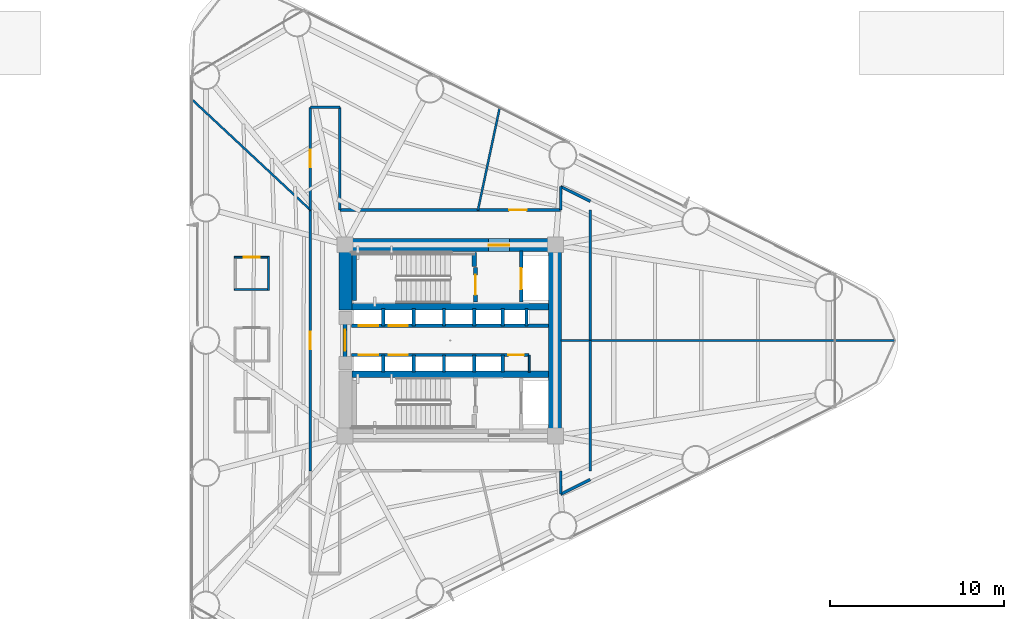
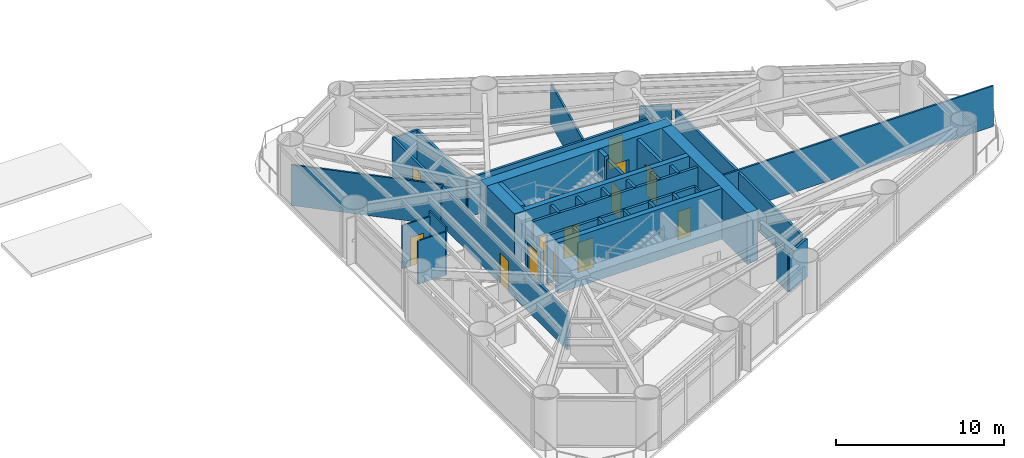
# One storey, part 6 of 10: 41 walls, 13 doors, 13 openings.
"""IFC4 building model written with IfcOpenShell, lengths in metres."""

from ifc_helpers import new_model, si_unit, direction, frame, frame_2d, origin, place, context, subcontext, project, spatial, rectangle, extrude, material, layer, layer_set, type_object, element, fill, save


model = new_model("IFC4")

# Units and contexts
model_context = context("Model", 3, precision=1e-05, world=origin(), true_north=direction((0.0, 1.0)))
body_context = subcontext(model_context, "Body", "Model", "MODEL_VIEW")
ifc_project = project(units=[si_unit("LENGTHUNIT", "METRE"), si_unit("AREAUNIT", "SQUARE_METRE"), si_unit("VOLUMEUNIT", "CUBIC_METRE"), si_unit("PLANEANGLEUNIT", "RADIAN"), si_unit("MASSUNIT", "GRAM", prefix="KILO")], contexts=[model_context])

# Site, building, storey
site_placement = place(None, origin())
site = spatial("IfcSite", under=ifc_project, at=site_placement, CompositionType="ELEMENT")
building_placement = place(site_placement, origin())
building = spatial("IfcBuilding", under=site, at=building_placement, Name="Yunling Apex Tower", CompositionType="ELEMENT")
storey_placement = place(building_placement, frame((0.0, 0.0, 23.800048828125)))
storey = spatial("IfcBuildingStorey", under=building, at=storey_placement, Name="L07", CompositionType="ELEMENT", Elevation=23.800048828125)

# Wall, opening, door
ifc_material_1 = material(Name="Concrete C60", Category="concrete")
ifc_layer_1 = layer(ifc_material_1, 0.75)
ifc_layer_set_1 = layer_set([ifc_layer_1], Name="Concrete C60")
wall_type_1 = type_object("IfcWallType", Name="WL-COR-1", PredefinedType="SHEAR", material=ifc_layer_set_1)
wall_1_placement = place(storey_placement, frame((-6.39990234375, 5.47509765625, 0.0), z_axis=(0.0, 0.0, 1.0), x_axis=(1.0, 0.0, 0.0)))
wall_1 = element("IfcWall", 1, at=wall_1_placement, inside=storey, type_object=wall_type_1, Name="L07 North Core Shear Wall", PredefinedType="SHEAR", context=body_context, shape_type="SweptSolid", body=[
    extrude(rectangle(XDim=12.7998046875, YDim=0.75, at=frame_2d((6.39990234375, 0.0))), origin(), (0.0, 0.0, 1.0), 3.699951171875),
])
opening_1_placement = place(wall_1_placement, frame((8.60009765625, 0.0, 0.0)))
opening_1 = element("IfcOpeningElement", 2, at=opening_1_placement, cuts=wall_1, Name="Opening DR-FFL-1", PredefinedType="OPENING", context=body_context, shape_type="SweptSolid", body=[
    extrude(rectangle(XDim=1.199951171875, YDim=2.199951171875, at=frame_2d((0.60009765625, 1.10009765625))), frame((0.0, 0.385009765625, 0.0), z_axis=(0.0, -1.0, 0.0), x_axis=(1.0, 0.0, 0.0)), (0.0, 0.0, 1.0), 0.77001953125),
])
ifc_material_2 = material(Name="Steel Q355B", Category="steel")
door_type_1 = type_object("IfcDoorType", Name="DR-FFL-1", OperationType="NOTDEFINED", PredefinedType="DOOR", material=ifc_material_2)
door_1_placement = place(opening_1_placement, origin())
door_1 = element("IfcDoor", 3, at=door_1_placement, inside=storey, type_object=door_type_1, Name="L07 North Firefighting Lobby Door", OperationType="SINGLE_SWING_LEFT", OverallHeight=2.199951171875, OverallWidth=1.199951171875, PredefinedType="DOOR", context=body_context, shape_type="SweptSolid", body=[
    extrude(rectangle(XDim=1.199951171875, YDim=2.199951171875, at=frame_2d((0.60009765625, 1.10009765625))), frame((0.0, 0.02490234375, 0.0), z_axis=(0.0, -1.0, 0.0), x_axis=(1.0, 0.0, 0.0)), (0.0, 0.0, 1.0), 0.050048828125),
])
fill(opening_1, door_1)

# Walls
wall_2_placement = place(storey_placement, frame((6.02490234375, -5.10009765625, 0.0), z_axis=(0.0, 0.0, 1.0), x_axis=(0.0, 1.0, 0.0)))
element("IfcWall", 4, at=wall_2_placement, inside=storey, type_object=wall_type_1, Name="L07 East Core Shear Wall", PredefinedType="SHEAR", context=body_context, shape_type="SweptSolid", body=[
    extrude(rectangle(XDim=10.2001953125, YDim=0.75, at=frame_2d((5.10009765625, 0.0))), origin(), (0.0, 0.0, 1.0), 3.699951171875),
])
wall_3_placement = place(storey_placement, frame((-6.02490234375, 1.75, 0.0), z_axis=(0.0, 0.0, 1.0), x_axis=(0.0, 1.0, 0.0)))
element("IfcWall", 5, at=wall_3_placement, inside=storey, type_object=wall_type_1, Name="L07 West-North Core Shear Wall", PredefinedType="SHEAR", context=body_context, shape_type="SweptSolid", body=[
    extrude(rectangle(XDim=3.35009765625, YDim=0.75, at=frame_2d((1.675048828125, 0.0))), origin(), (0.0, 0.0, 1.0), 3.699951171875),
])
ifc_material_3 = material(Name="Concrete C40", Category="concrete")
ifc_layer_2 = layer(ifc_material_3, 0.360107421875)
ifc_layer_set_2 = layer_set([ifc_layer_2], Name="Concrete C40")
wall_type_2 = type_object("IfcWallType", Name="WL-COR-4", PredefinedType="SHEAR", material=ifc_layer_set_2)
for number, where, z_axis, x_axis, name in (
    (6, (-5.64990234375, 1.93994140625, 0.0), (0.0, 0.0, 1.0), (1.0, 0.0, 0.0), "L07 North Internal Core Shear Wall"),
    (7, (-5.64990234375, -1.93994140625, 0.0), (0.0, 0.0, 1.0), (1.0, 0.0, 0.0), "L07 South Internal Core Shear Wall"),
):
    element("IfcWall", number, at=place(storey_placement, frame(where, z_axis=z_axis, x_axis=x_axis)), inside=storey, type_object=wall_type_2, Name=name, PredefinedType="SHEAR", context=body_context, shape_type="SweptSolid", body=[
        extrude(rectangle(XDim=11.2998046875, YDim=0.360107421875, at=frame_2d((5.64990234375, 0.0))), origin(), (0.0, 0.0, 1.0), 3.699951171875),
    ])
ifc_layer_3 = layer(ifc_material_3, 0.280029296875)
ifc_layer_set_3 = layer_set([ifc_layer_3], Name="Concrete C40")
wall_type_3 = type_object("IfcWallType", Name="WL-COR-8", PredefinedType="SHEAR", material=ifc_layer_set_3)
wall_4_placement = place(storey_placement, frame((-5.52001953125, 2.300048828125, 0.0), z_axis=(0.0, 0.0, 1.0), x_axis=(0.0, 1.0, 0.0)))
element("IfcWall", 8, at=wall_4_placement, inside=storey, type_object=wall_type_3, Name="L07 ST-1 West Landing Bearing Wall", PredefinedType="SHEAR", context=body_context, shape_type="SweptSolid", body=[
    extrude(rectangle(XDim=2.75, YDim=0.280029296875, at=frame_2d((1.375, 0.0))), origin(), (0.0, 0.0, 1.0), 3.699951171875),
])
wall_5_placement = place(storey_placement, frame((1.3798828125, 4.25, 0.0), z_axis=(0.0, 0.0, 1.0), x_axis=(0.0, 1.0, 0.0)))
element("IfcWall", 9, at=wall_5_placement, inside=storey, type_object=wall_type_3, Name="L07 ST-1 East Landing Bearing Pier", PredefinedType="SHEAR", context=body_context, shape_type="SweptSolid", body=[
    extrude(rectangle(XDim=0.800048828125, YDim=0.280029296875, at=frame_2d((0.39990234375, 0.0))), origin(), (0.0, 0.0, 1.0), 3.699951171875),
])

# Wall, opening, door
ifc_material_4 = material(Name="Gypsum board acoustic partition")
ifc_layer_4 = layer(ifc_material_4, 0.159912109375)
ifc_layer_set_4 = layer_set([ifc_layer_4], Name="Gypsum board acoustic partition")
wall_type_4 = type_object("IfcWallType", Name="WL-PRT-1", PredefinedType="PARTITIONING", material=ifc_layer_set_4)
wall_6_placement = place(storey_placement, frame((-8.050048828125, -7.5, 0.0), z_axis=(0.0, 0.0, 1.0), x_axis=(0.0, 1.0, 0.0)))
wall_6 = element("IfcWall", 10, at=wall_6_placement, inside=storey, type_object=wall_type_4, Name="WL-CORR-L07-05", PredefinedType="PARTITIONING", context=body_context, shape_type="SweptSolid", body=[
    extrude(rectangle(XDim=15.0, YDim=0.159912109375, at=frame_2d((7.5, 0.0))), origin(), (0.0, 0.0, 1.0), 2.800048828125),
])
opening_2_placement = place(wall_6_placement, frame((7.0, 0.0, 0.0)))
opening_2 = element("IfcOpeningElement", 11, at=opening_2_placement, cuts=wall_6, Name="Opening DR-OFF-1", PredefinedType="OPENING", context=body_context, shape_type="SweptSolid", body=[
    extrude(rectangle(XDim=1.0, YDim=2.25, at=frame_2d((0.5, 1.125))), frame((0.0, 0.08984375, 0.0), z_axis=(0.0, -1.0, 0.0), x_axis=(1.0, 0.0, 0.0)), (0.0, 0.0, 1.0), 0.179931640625),
])
ifc_material_5 = material(Name="Bronze anodised aluminium", Category="aluminium")
door_type_2 = type_object("IfcDoorType", Name="DR-OFF-1", OperationType="NOTDEFINED", PredefinedType="DOOR", material=ifc_material_5)
door_2_placement = place(opening_2_placement, origin())
door_2 = element("IfcDoor", 12, at=door_2_placement, inside=storey, type_object=door_type_2, Name="L07 Service Foyer Lounge Door", OperationType="SINGLE_SWING_LEFT", OverallHeight=2.25, OverallWidth=1.0, PredefinedType="DOOR", context=body_context, shape_type="SweptSolid", body=[
    extrude(rectangle(XDim=1.0, YDim=2.25, at=frame_2d((0.5, 1.125))), frame((0.0, 0.02490234375, 0.0), z_axis=(0.0, -1.0, 0.0), x_axis=(1.0, 0.0, 0.0)), (0.0, 0.0, 1.0), 0.050048828125),
])
fill(opening_2, door_2)

wall_7_placement = place(storey_placement, frame((-8.050048828125, 7.5, 0.0), z_axis=(0.0, 0.0, 1.0), x_axis=(0.0, 1.0, 0.0)))
wall_7 = element("IfcWall", 13, at=wall_7_placement, inside=storey, type_object=wall_type_4, Name="WL-CORR-L07-06", PredefinedType="PARTITIONING", context=body_context, shape_type="SweptSolid", body=[
    extrude(rectangle(XDim=5.89990234375, YDim=0.159912109375, at=frame_2d((2.949951171875, 0.0))), origin(), (0.0, 0.0, 1.0), 2.800048828125),
])
opening_3_placement = place(wall_7_placement, frame((2.449951171875, 0.0, 0.0)))
opening_3 = element("IfcOpeningElement", 14, at=opening_3_placement, cuts=wall_7, Name="Opening DR-OFF-1", PredefinedType="OPENING", context=body_context, shape_type="SweptSolid", body=[
    extrude(rectangle(XDim=1.0, YDim=2.25, at=frame_2d((0.5, 1.125))), frame((0.0, 0.08984375, 0.0), z_axis=(0.0, -1.0, 0.0), x_axis=(1.0, 0.0, 0.0)), (0.0, 0.0, 1.0), 0.179931640625),
])
door_3_placement = place(opening_3_placement, origin())
door_3 = element("IfcDoor", 15, at=door_3_placement, inside=storey, type_object=door_type_2, Name="L07 Open Plan Office Door", OperationType="SINGLE_SWING_RIGHT", OverallHeight=2.25, OverallWidth=1.0, PredefinedType="DOOR", context=body_context, shape_type="SweptSolid", body=[
    extrude(rectangle(XDim=1.0, YDim=2.25, at=frame_2d((0.5, 1.125))), frame((0.0, 0.02490234375, 0.0), z_axis=(0.0, -1.0, 0.0), x_axis=(1.0, 0.0, 0.0)), (0.0, 0.0, 1.0), 0.050048828125),
])
fill(opening_3, door_3)

# Walls
wall_8_placement = place(storey_placement, frame((-8.050048828125, 13.39990234375, 0.0), z_axis=(0.0, 0.0, 1.0), x_axis=(1.0, 0.0, 0.0)))
element("IfcWall", 16, at=wall_8_placement, inside=storey, type_object=wall_type_4, Name="WL-CORR-L07-07", PredefinedType="PARTITIONING", context=body_context, shape_type="SweptSolid", body=[
    extrude(rectangle(XDim=1.699951171875, YDim=0.159912109375, at=frame_2d((0.85009765625, 0.0))), origin(), (0.0, 0.0, 1.0), 2.800048828125),
])
wall_9_placement = place(storey_placement, frame((-6.35009765625, 13.39990234375, 0.0), z_axis=(0.0, 0.0, 1.0), x_axis=(0.0, -1.0, 0.0)))
element("IfcWall", 17, at=wall_9_placement, inside=storey, type_object=wall_type_4, Name="WL-CORR-L07-08", PredefinedType="PARTITIONING", context=body_context, shape_type="SweptSolid", body=[
    extrude(rectangle(XDim=5.89990234375, YDim=0.159912109375, at=frame_2d((2.949951171875, 0.0))), origin(), (0.0, 0.0, 1.0), 2.800048828125),
])

# Wall, opening, door
wall_10_placement = place(storey_placement, frame((-6.35009765625, 7.5, 0.0), z_axis=(0.0, 0.0, 1.0), x_axis=(1.0, 0.0, 0.0)))
wall_10 = element("IfcWall", 18, at=wall_10_placement, inside=storey, type_object=wall_type_4, Name="WL-CORR-L07-09", PredefinedType="PARTITIONING", context=body_context, shape_type="SweptSolid", body=[
    extrude(rectangle(XDim=12.7001953125, YDim=0.159912109375, at=frame_2d((6.35009765625, 0.0))), origin(), (0.0, 0.0, 1.0), 2.800048828125),
])
opening_4_placement = place(wall_10_placement, frame((9.7373046875, 0.0, 0.0)))
opening_4 = element("IfcOpeningElement", 19, at=opening_4_placement, cuts=wall_10, Name="Opening DR-OFF-1", PredefinedType="OPENING", context=body_context, shape_type="SweptSolid", body=[
    extrude(rectangle(XDim=1.0, YDim=2.25, at=frame_2d((0.5, 1.125))), frame((0.0, 0.08984375, 0.0), z_axis=(0.0, -1.0, 0.0), x_axis=(1.0, 0.0, 0.0)), (0.0, 0.0, 1.0), 0.179931640625),
])
door_4_placement = place(opening_4_placement, origin())
door_4 = element("IfcDoor", 20, at=door_4_placement, inside=storey, type_object=door_type_2, Name="L07 Open Plan Office Door", OperationType="SINGLE_SWING_LEFT", OverallHeight=2.25, OverallWidth=1.0, PredefinedType="DOOR", context=body_context, shape_type="SweptSolid", body=[
    extrude(rectangle(XDim=1.0, YDim=2.25, at=frame_2d((0.5, 1.125))), frame((0.0, 0.02490234375, 0.0), z_axis=(0.0, -1.0, 0.0), x_axis=(1.0, 0.0, 0.0)), (0.0, 0.0, 1.0), 0.050048828125),
])
fill(opening_4, door_4)

# Walls
wall_11_placement = place(storey_placement, frame((6.35009765625, 7.5, 0.0), z_axis=(0.0, 0.0, 1.0), x_axis=(0.0, 1.0, 0.0)))
element("IfcWall", 21, at=wall_11_placement, inside=storey, type_object=wall_type_4, Name="WL-CORR-L07-10", PredefinedType="PARTITIONING", context=body_context, shape_type="SweptSolid", body=[
    extrude(rectangle(XDim=1.34619140625, YDim=0.159912109375, at=frame_2d((0.673095703125, 0.0))), origin(), (0.0, 0.0, 1.0), 2.800048828125),
])
wall_12_placement = place(storey_placement, frame((6.35009765625, 8.84619140625, 0.0), z_axis=(0.0, 0.0, 1.0), x_axis=(0.895274181873, -0.445515588136, 0.0)))
element("IfcWall", 22, at=wall_12_placement, inside=storey, type_object=wall_type_4, Name="WL-CORR-L07-11", PredefinedType="PARTITIONING", context=body_context, shape_type="SweptSolid", body=[
    extrude(rectangle(XDim=1.89892578125, YDim=0.159912109375, at=frame_2d((0.949462890625, 0.0))), origin(), (0.0, 0.0, 1.0), 2.800048828125),
])
for number, where, z_axis, x_axis, name in (
    (23, (8.050048828125, 7.5, 0.0), (0.0, 0.0, 1.0), (0.0, -1.0, 0.0), "WL-CORR-L07-13"),
    (24, (8.050048828125, -0.02001953125, 0.0), (0.0, 0.0, 1.0), (0.0, -1.0, 0.0), "WL-CORR-L07-14"),
):
    element("IfcWall", number, at=place(storey_placement, frame(where, z_axis=z_axis, x_axis=x_axis)), inside=storey, type_object=wall_type_4, Name=name, PredefinedType="PARTITIONING", context=body_context, shape_type="SweptSolid", body=[
        extrude(rectangle(XDim=7.47998046875, YDim=0.159912109375, at=frame_2d((3.739990234375, 0.0))), origin(), (0.0, 0.0, 1.0), 2.800048828125),
    ])
wall_13_placement = place(storey_placement, frame((8.050048828125, -8.000244140625, 0.0), z_axis=(0.0, 0.0, 1.0), x_axis=(-0.895274181873, -0.445515588136, 0.0)))
element("IfcWall", 25, at=wall_13_placement, inside=storey, type_object=wall_type_4, Name="WL-CORR-L07-16", PredefinedType="PARTITIONING", context=body_context, shape_type="SweptSolid", body=[
    extrude(rectangle(XDim=1.89892578125, YDim=0.159912109375, at=frame_2d((0.949462890625, 0.0))), origin(), (0.0, 0.0, 1.0), 2.800048828125),
])
wall_14_placement = place(storey_placement, frame((6.35009765625, -8.84619140625, 0.0), z_axis=(0.0, 0.0, 1.0), x_axis=(0.0, 1.0, 0.0)))
element("IfcWall", 26, at=wall_14_placement, inside=storey, type_object=wall_type_4, Name="WL-CORR-L07-17", PredefinedType="PARTITIONING", context=body_context, shape_type="SweptSolid", body=[
    extrude(rectangle(XDim=1.34619140625, YDim=0.159912109375, at=frame_2d((0.673095703125, 0.0))), origin(), (0.0, 0.0, 1.0), 2.800048828125),
])
ifc_layer_5 = layer(ifc_material_4, 0.1201171875)
ifc_layer_set_5 = layer_set([ifc_layer_5], Name="Gypsum board acoustic partition")
wall_type_5 = type_object("IfcWallType", Name="WL-PRT-3", PredefinedType="PARTITIONING", material=ifc_layer_set_5)
wall_15_placement = place(storey_placement, frame((6.360107421875, 0.0, 0.0), z_axis=(0.0, 0.0, 1.0), x_axis=(1.0, 0.0, 0.0)))
element("IfcWall", 27, at=wall_15_placement, inside=storey, type_object=wall_type_5, Name="WL-RAD-L07-01", PredefinedType="PARTITIONING", context=body_context, shape_type="SweptSolid", body=[
    extrude(rectangle(XDim=19.190673828125, YDim=0.1201171875, at=frame_2d((9.59521484375, 0.0))), origin(), (0.0, 0.0, 1.0), 2.9599609375),
])
wall_16_placement = place(storey_placement, frame((1.585693359375, 7.4599609375, 0.0), z_axis=(0.0, 0.0, 1.0), x_axis=(0.207898702609, 0.978150361373, 0.0)))
element("IfcWall", 28, at=wall_16_placement, inside=storey, type_object=wall_type_5, Name="WL-RAD-L07-02", PredefinedType="PARTITIONING", context=body_context, shape_type="SweptSolid", body=[
    extrude(rectangle(XDim=5.99365234375, YDim=0.1201171875, at=frame_2d((2.996826171875, 0.0))), origin(), (0.0, 0.0, 1.0), 2.9599609375),
])
wall_17_placement = place(storey_placement, frame((-8.010009765625, 7.469482421875, 0.0), z_axis=(0.0, 0.0, 1.0), x_axis=(-0.731354171407, 0.681997856277, 0.0)))
element("IfcWall", 29, at=wall_17_placement, inside=storey, type_object=wall_type_5, Name="WL-RAD-L07-03", PredefinedType="PARTITIONING", context=body_context, shape_type="SweptSolid", body=[
    extrude(rectangle(XDim=9.314208984375, YDim=0.1201171875, at=frame_2d((4.6572265625, 0.0))), origin(), (0.0, 0.0, 1.0), 2.9599609375),
])
ifc_layer_6 = layer(ifc_material_4, 0.10009765625)
ifc_layer_set_6 = layer_set([ifc_layer_6], Name="Gypsum board acoustic partition")
wall_type_6 = type_object("IfcWallType", Name="WL-PRT-4", PredefinedType="PARTITIONING", material=ifc_layer_set_6)
wall_18_placement = place(storey_placement, frame((4.5400390625, -1.820068359375, 0.0), z_axis=(0.0, 0.0, 1.0), x_axis=(0.0, 1.0, 0.0)))
element("IfcWall", 30, at=wall_18_placement, inside=storey, type_object=wall_type_6, Name="WL-KASE-E-L07", PredefinedType="PARTITIONING", context=body_context, shape_type="SweptSolid", body=[
    extrude(rectangle(XDim=0.97998046875, YDim=0.10009765625, at=frame_2d((0.489990234375, 0.0))), origin(), (0.0, 0.0, 1.0), 3.494873046875),
])

# Wall, opening, door
wall_19_placement = place(storey_placement, frame((-12.406005859375, 4.77587890625, 0.0), z_axis=(0.0, 0.0, 1.0), x_axis=(1.0, 0.0, 0.0)))
wall_19 = element("IfcWall", 31, at=wall_19_placement, inside=storey, type_object=wall_type_6, Name="WL-L07-WCAN", PredefinedType="PARTITIONING", context=body_context, shape_type="SweptSolid", body=[
    extrude(rectangle(XDim=2.0, YDim=0.10009765625, at=frame_2d((1.0, 0.0))), origin(), (0.0, 0.0, 1.0), 3.14990234375),
])
opening_5_placement = place(wall_19_placement, frame((0.5400390625, 0.0, 0.0)))
opening_5 = element("IfcOpeningElement", 32, at=opening_5_placement, cuts=wall_19, Name="Opening DR-WC-1", PredefinedType="OPENING", context=body_context, shape_type="SweptSolid", body=[
    extrude(rectangle(XDim=0.919921875, YDim=2.10009765625, at=frame_2d((0.4599609375, 1.050048828125))), frame((0.0, 0.06005859375, 0.0), z_axis=(0.0, -1.0, 0.0), x_axis=(1.0, 0.0, 0.0)), (0.0, 0.0, 1.0), 0.1201171875),
])
ifc_material_6 = material(Name="Timber moisture-resistant leaf", Category="wood")
door_type_3 = type_object("IfcDoorType", Name="DR-WC-1", OperationType="NOTDEFINED", PredefinedType="DOOR", material=ifc_material_6)
door_5_placement = place(opening_5_placement, origin())
door_5 = element("IfcDoor", 33, at=door_5_placement, inside=storey, type_object=door_type_3, Name="L07 Accessible WC Door", OperationType="SINGLE_SWING_RIGHT", OverallHeight=2.10009765625, OverallWidth=0.919921875, PredefinedType="DOOR", context=body_context, shape_type="SweptSolid", body=[
    extrude(rectangle(XDim=0.919921875, YDim=2.10009765625, at=frame_2d((0.4599609375, 1.050048828125))), frame((0.0, 0.02490234375, 0.0), z_axis=(0.0, -1.0, 0.0), x_axis=(1.0, 0.0, 0.0)), (0.0, 0.0, 1.0), 0.050048828125),
])
fill(opening_5, door_5)

# Walls
wall_20_placement = place(storey_placement, frame((-10.406005859375, 2.926025390625, 0.0), z_axis=(0.0, 0.0, 1.0), x_axis=(-1.0, 0.0, 0.0)))
element("IfcWall", 34, at=wall_20_placement, inside=storey, type_object=wall_type_6, Name="WL-L07-WCAS", PredefinedType="PARTITIONING", context=body_context, shape_type="SweptSolid", body=[
    extrude(rectangle(XDim=2.0, YDim=0.10009765625, at=frame_2d((1.0, 0.0))), origin(), (0.0, 0.0, 1.0), 3.14990234375),
])
wall_21_placement = place(storey_placement, frame((-10.4560546875, 4.825927734375, 0.0), z_axis=(0.0, 0.0, 1.0), x_axis=(0.0, -1.0, 0.0)))
element("IfcWall", 35, at=wall_21_placement, inside=storey, type_object=wall_type_6, Name="WL-L07-WCAE", PredefinedType="PARTITIONING", context=body_context, shape_type="SweptSolid", body=[
    extrude(rectangle(XDim=1.949951171875, YDim=0.10009765625, at=frame_2d((0.97509765625, 0.0))), origin(), (0.0, 0.0, 1.0), 3.494873046875),
])

# Wall, opening, door
ifc_material_7 = material(Name="Autoclaved aerated concrete masonry", Category="masonry")
ifc_layer_7 = layer(ifc_material_7, 0.219970703125)
ifc_layer_set_7 = layer_set([ifc_layer_7], Name="Autoclaved aerated concrete masonry")
wall_type_7 = type_object("IfcWallType", Name="WL-SHF-1", PredefinedType="PLUMBINGWALL", material=ifc_layer_set_7)
wall_22_placement = place(storey_placement, frame((-6.050048828125, -0.949951171875, 0.0), z_axis=(0.0, 0.0, 1.0), x_axis=(0.0, 1.0, 0.0)))
wall_22 = element("IfcWall", 36, at=wall_22_placement, inside=storey, type_object=wall_type_7, Name="WL-COR-WPORT-L07", PredefinedType="PLUMBINGWALL", context=body_context, shape_type="SweptSolid", body=[
    extrude(rectangle(XDim=1.89990234375, YDim=0.219970703125, at=frame_2d((0.949951171875, 0.0))), origin(), (0.0, 0.0, 1.0), 2.474853515625),
])
opening_6_placement = place(wall_22_placement, frame((0.35009765625, 0.0, 0.0)))
opening_6 = element("IfcOpeningElement", 37, at=opening_6_placement, cuts=wall_22, Name="Opening DR-FFL-1", PredefinedType="OPENING", context=body_context, shape_type="SweptSolid", body=[
    extrude(rectangle(XDim=1.199951171875, YDim=2.199951171875, at=frame_2d((0.60009765625, 1.10009765625))), frame((0.0, 0.1201171875, 0.0), z_axis=(0.0, -1.0, 0.0), x_axis=(1.0, 0.0, 0.0)), (0.0, 0.0, 1.0), 0.239990234375),
])
door_6_placement = place(opening_6_placement, origin())
door_6 = element("IfcDoor", 38, at=door_6_placement, inside=storey, type_object=door_type_1, Name="L07 Passenger Lift Lobby Entrance Door", OperationType="SINGLE_SWING_LEFT", OverallHeight=2.199951171875, OverallWidth=1.199951171875, PredefinedType="DOOR", context=body_context, shape_type="SweptSolid", body=[
    extrude(rectangle(XDim=1.199951171875, YDim=2.199951171875, at=frame_2d((0.60009765625, 1.10009765625))), frame((0.0, 0.02490234375, 0.0), z_axis=(0.0, -1.0, 0.0), x_axis=(1.0, 0.0, 0.0)), (0.0, 0.0, 1.0), 0.050048828125),
])
fill(opening_6, door_6)

wall_23_placement = place(storey_placement, frame((1.449951171875, 2.199951171875, 0.0), z_axis=(0.0, 0.0, 1.0), x_axis=(0.0, 1.0, 0.0)))
wall_23 = element("IfcWall", 39, at=wall_23_placement, inside=storey, type_object=wall_type_7, Name="WL-ST1-E-L07", PredefinedType="PLUMBINGWALL", context=body_context, shape_type="SweptSolid", body=[
    extrude(rectangle(XDim=1.97998046875, YDim=0.219970703125, at=frame_2d((0.989990234375, 0.0))), origin(), (0.0, 0.0, 1.0), 3.494873046875),
])
opening_7_placement = place(wall_23_placement, frame((0.419921875, 0.0, 0.0)))
opening_7 = element("IfcOpeningElement", 40, at=opening_7_placement, cuts=wall_23, Name="Opening DR-ST-1", PredefinedType="OPENING", context=body_context, shape_type="SweptSolid", body=[
    extrude(rectangle(XDim=1.14990234375, YDim=2.14990234375, at=frame_2d((0.574951171875, 1.074951171875))), frame((0.0, 0.1201171875, 0.0), z_axis=(0.0, -1.0, 0.0), x_axis=(1.0, 0.0, 0.0)), (0.0, 0.0, 1.0), 0.239990234375),
])
door_type_4 = type_object("IfcDoorType", Name="DR-ST-1", OperationType="NOTDEFINED", PredefinedType="DOOR", material=ifc_material_2)
door_7_placement = place(opening_7_placement, origin())
door_7 = element("IfcDoor", 41, at=door_7_placement, inside=storey, type_object=door_type_4, Name="L07 Stair ST-1 Fire Door", OperationType="SINGLE_SWING_LEFT", OverallHeight=2.14990234375, OverallWidth=1.14990234375, PredefinedType="DOOR", context=body_context, shape_type="SweptSolid", body=[
    extrude(rectangle(XDim=1.14990234375, YDim=2.14990234375, at=frame_2d((0.574951171875, 1.074951171875))), frame((0.0, 0.02490234375, 0.0), z_axis=(0.0, -1.0, 0.0), x_axis=(1.0, 0.0, 0.0)), (0.0, 0.0, 1.0), 0.050048828125),
])
fill(opening_7, door_7)

wall_24_placement = place(storey_placement, frame((4.080078125, 2.199951171875, 0.0), z_axis=(0.0, 0.0, 1.0), x_axis=(0.0, 1.0, 0.0)))
wall_24 = element("IfcWall", 42, at=wall_24_placement, inside=storey, type_object=wall_type_7, Name="WL-FFL1-W-L07", PredefinedType="PLUMBINGWALL", context=body_context, shape_type="SweptSolid", body=[
    extrude(rectangle(XDim=2.949951171875, YDim=0.219970703125, at=frame_2d((1.47509765625, 0.0))), origin(), (0.0, 0.0, 1.0), 3.494873046875),
])
opening_8_placement = place(wall_24_placement, frame((0.75, 0.0, 0.0)))
opening_8 = element("IfcOpeningElement", 43, at=opening_8_placement, cuts=wall_24, Name="Opening LD-FFL-1", PredefinedType="OPENING", context=body_context, shape_type="SweptSolid", body=[
    extrude(rectangle(XDim=1.199951171875, YDim=2.25, at=frame_2d((0.60009765625, 1.125))), frame((0.0, 0.1201171875, 0.0), z_axis=(0.0, -1.0, 0.0), x_axis=(1.0, 0.0, 0.0)), (0.0, 0.0, 1.0), 0.239990234375),
])
door_type_5 = type_object("IfcDoorType", Name="LD-FFL-1", OperationType="DOUBLE_DOOR_SLIDING", PredefinedType="DOOR", material=ifc_material_2)
door_8_placement = place(opening_8_placement, origin())
door_8 = element("IfcDoor", 44, at=door_8_placement, inside=storey, type_object=door_type_5, Name="L07 Lift FFL-1 Landing Door", OperationType="DOUBLE_DOOR_SLIDING", OverallHeight=2.25, OverallWidth=1.199951171875, PredefinedType="DOOR", context=body_context, shape_type="SweptSolid", body=[
    extrude(rectangle(XDim=1.199951171875, YDim=2.25, at=frame_2d((0.60009765625, 1.125))), frame((0.0, 0.02490234375, 0.0), z_axis=(0.0, -1.0, 0.0), x_axis=(1.0, 0.0, 0.0)), (0.0, 0.0, 1.0), 0.050048828125),
])
fill(opening_8, door_8)

# Walls
ifc_layer_8 = layer(ifc_material_7, 0.179931640625)
ifc_layer_set_8 = layer_set([ifc_layer_8], Name="Autoclaved aerated concrete masonry")
wall_type_8 = type_object("IfcWallType", Name="WL-SHF-2", PredefinedType="PLUMBINGWALL", material=ifc_layer_set_8)
for number, where, z_axis, x_axis, name in (
    (45, (-3.85009765625, 0.840087890625, 0.0), (0.0, 0.0, 1.0), (0.0, 1.0, 0.0), "WL-DIV-L12-L07"),
    (46, (-3.85009765625, -1.820068359375, 0.0), (0.0, 0.0, 1.0), (0.0, 1.0, 0.0), "WL-DIV-L34-L07"),
    (47, (-2.10009765625, 0.840087890625, 0.0), (0.0, 0.0, 1.0), (0.0, 1.0, 0.0), "WL-BNK-LM-N-L07"),
    (48, (-2.10009765625, -1.820068359375, 0.0), (0.0, 0.0, 1.0), (0.0, 1.0, 0.0), "WL-BNK-LM-S-L07"),
    (49, (-0.35009765625, 0.840087890625, 0.0), (0.0, 0.0, 1.0), (0.0, 1.0, 0.0), "WL-DIV-M12-L07"),
    (50, (-0.35009765625, -1.820068359375, 0.0), (0.0, 0.0, 1.0), (0.0, 1.0, 0.0), "WL-DIV-M34-L07"),
    (51, (1.3798828125, 0.840087890625, 0.0), (0.0, 0.0, 1.0), (0.0, 1.0, 0.0), "WL-BNK-MH-N-L07"),
    (52, (1.3798828125, -1.820068359375, 0.0), (0.0, 0.0, 1.0), (0.0, 1.0, 0.0), "WL-BNK-MH-S-L07"),
    (53, (3.02001953125, 0.840087890625, 0.0), (0.0, 0.0, 1.0), (0.0, 1.0, 0.0), "WL-DIV-H13-L07"),
    (54, (4.3798828125, 0.840087890625, 0.0), (0.0, 0.0, 1.0), (0.0, 1.0, 0.0), "WL-END-H3E-L07"),
    (55, (3.02001953125, -1.820068359375, 0.0), (0.0, 0.0, 1.0), (0.0, 1.0, 0.0), "WL-END-H2E-L07"),
):
    element("IfcWall", number, at=place(storey_placement, frame(where, z_axis=z_axis, x_axis=x_axis)), inside=storey, type_object=wall_type_8, Name=name, PredefinedType="PLUMBINGWALL", context=body_context, shape_type="SweptSolid", body=[
        extrude(rectangle(XDim=0.97998046875, YDim=0.179931640625, at=frame_2d((0.489990234375, 0.0))), origin(), (0.0, 0.0, 1.0), 3.494873046875),
    ])

# Wall, openings, doors
wall_25_placement = place(storey_placement, frame((-5.679931640625, 0.840087890625, 0.0), z_axis=(0.0, 0.0, 1.0), x_axis=(1.0, 0.0, 0.0)))
wall_25 = element("IfcWall", 56, at=wall_25_placement, inside=storey, type_object=wall_type_8, Name="WL-LOB-N-L07", PredefinedType="PLUMBINGWALL", context=body_context, shape_type="SweptSolid", body=[
    extrude(rectangle(XDim=11.329833984375, YDim=0.179931640625, at=frame_2d((5.6650390625, 0.0))), origin(), (0.0, 0.0, 1.0), 3.494873046875),
])
opening_9_placement = place(wall_25_placement, frame((0.429931640625, 0.0, 0.0)))
opening_9 = element("IfcOpeningElement", 57, at=opening_9_placement, cuts=wall_25, Name="Opening LD-PAS-1", PredefinedType="OPENING", context=body_context, shape_type="SweptSolid", body=[
    extrude(rectangle(XDim=1.10009765625, YDim=2.199951171875, at=frame_2d((0.550048828125, 1.10009765625))), frame((0.0, 0.10009765625, 0.0), z_axis=(0.0, -1.0, 0.0), x_axis=(1.0, 0.0, 0.0)), (0.0, 0.0, 1.0), 0.199951171875),
])
opening_10_placement = place(wall_25_placement, frame((2.1298828125, 0.0, 0.0)))
opening_10 = element("IfcOpeningElement", 58, at=opening_10_placement, cuts=wall_25, Name="Opening LD-PAS-1", PredefinedType="OPENING", context=body_context, shape_type="SweptSolid", body=[
    extrude(rectangle(XDim=1.10009765625, YDim=2.199951171875, at=frame_2d((0.550048828125, 1.10009765625))), frame((0.0, 0.10009765625, 0.0), z_axis=(0.0, -1.0, 0.0), x_axis=(1.0, 0.0, 0.0)), (0.0, 0.0, 1.0), 0.199951171875),
])
ifc_material_8 = material(Name="Silver anodised aluminium", Category="aluminium")
door_type_6 = type_object("IfcDoorType", Name="LD-PAS-1", OperationType="DOUBLE_DOOR_SLIDING", PredefinedType="DOOR", material=ifc_material_8)
door_9_placement = place(opening_9_placement, origin())
door_9 = element("IfcDoor", 59, at=door_9_placement, inside=storey, type_object=door_type_6, Name="L07 Lift PL-L1 Landing Door", OperationType="DOUBLE_DOOR_SLIDING", OverallHeight=2.199951171875, OverallWidth=1.10009765625, PredefinedType="DOOR", context=body_context, shape_type="SweptSolid", body=[
    extrude(rectangle(XDim=1.10009765625, YDim=2.199951171875, at=frame_2d((0.550048828125, 1.10009765625))), frame((0.0, 0.02490234375, 0.0), z_axis=(0.0, -1.0, 0.0), x_axis=(1.0, 0.0, 0.0)), (0.0, 0.0, 1.0), 0.050048828125),
])
fill(opening_9, door_9)
door_10_placement = place(opening_10_placement, origin())
door_10 = element("IfcDoor", 60, at=door_10_placement, inside=storey, type_object=door_type_6, Name="L07 Lift PL-L2 Landing Door", OperationType="DOUBLE_DOOR_SLIDING", OverallHeight=2.199951171875, OverallWidth=1.10009765625, PredefinedType="DOOR", context=body_context, shape_type="SweptSolid", body=[
    extrude(rectangle(XDim=1.10009765625, YDim=2.199951171875, at=frame_2d((0.550048828125, 1.10009765625))), frame((0.0, 0.02490234375, 0.0), z_axis=(0.0, -1.0, 0.0), x_axis=(1.0, 0.0, 0.0)), (0.0, 0.0, 1.0), 0.050048828125),
])
fill(opening_10, door_10)

wall_26_placement = place(storey_placement, frame((-5.679931640625, -0.840087890625, 0.0), z_axis=(0.0, 0.0, 1.0), x_axis=(1.0, 0.0, 0.0)))
wall_26 = element("IfcWall", 61, at=wall_26_placement, inside=storey, type_object=wall_type_8, Name="WL-LOB-S-L07", PredefinedType="PLUMBINGWALL", context=body_context, shape_type="SweptSolid", body=[
    extrude(rectangle(XDim=10.219970703125, YDim=0.179931640625, at=frame_2d((5.10986328125, 0.0))), origin(), (0.0, 0.0, 1.0), 3.494873046875),
])
opening_11_placement = place(wall_26_placement, frame((0.429931640625, 0.0, 0.0)))
opening_11 = element("IfcOpeningElement", 62, at=opening_11_placement, cuts=wall_26, Name="Opening LD-PAS-1", PredefinedType="OPENING", context=body_context, shape_type="SweptSolid", body=[
    extrude(rectangle(XDim=1.10009765625, YDim=2.199951171875, at=frame_2d((0.550048828125, 1.10009765625))), frame((0.0, 0.10009765625, 0.0), z_axis=(0.0, -1.0, 0.0), x_axis=(1.0, 0.0, 0.0)), (0.0, 0.0, 1.0), 0.199951171875),
])
opening_12_placement = place(wall_26_placement, frame((2.1298828125, 0.0, 0.0)))
opening_12 = element("IfcOpeningElement", 63, at=opening_12_placement, cuts=wall_26, Name="Opening LD-PAS-1", PredefinedType="OPENING", context=body_context, shape_type="SweptSolid", body=[
    extrude(rectangle(XDim=1.10009765625, YDim=2.199951171875, at=frame_2d((0.550048828125, 1.10009765625))), frame((0.0, 0.10009765625, 0.0), z_axis=(0.0, -1.0, 0.0), x_axis=(1.0, 0.0, 0.0)), (0.0, 0.0, 1.0), 0.199951171875),
])
opening_13_placement = place(wall_26_placement, frame((9.02001953125, 0.0, 0.0)))
opening_13 = element("IfcOpeningElement", 64, at=opening_13_placement, cuts=wall_26, Name="Opening DR-SHF-1", PredefinedType="OPENING", context=body_context, shape_type="SweptSolid", body=[
    extrude(rectangle(XDim=0.89990234375, YDim=2.050048828125, at=frame_2d((0.449951171875, 1.02490234375))), frame((0.0, 0.10009765625, 0.0), z_axis=(0.0, -1.0, 0.0), x_axis=(1.0, 0.0, 0.0)), (0.0, 0.0, 1.0), 0.199951171875),
])
door_type_7 = type_object("IfcDoorType", Name="DR-SHF-1", OperationType="NOTDEFINED", PredefinedType="DOOR", material=ifc_material_2)
door_11_placement = place(opening_13_placement, origin())
door_11 = element("IfcDoor", 65, at=door_11_placement, inside=storey, type_object=door_type_7, Name="L07 Core Electrical Room Door", OperationType="SINGLE_SWING_LEFT", OverallHeight=2.050048828125, OverallWidth=0.89990234375, PredefinedType="DOOR", context=body_context, shape_type="SweptSolid", body=[
    extrude(rectangle(XDim=0.89990234375, YDim=2.050048828125, at=frame_2d((0.449951171875, 1.02490234375))), frame((0.0, 0.02490234375, 0.0), z_axis=(0.0, -1.0, 0.0), x_axis=(1.0, 0.0, 0.0)), (0.0, 0.0, 1.0), 0.050048828125),
])
fill(opening_13, door_11)
door_12_placement = place(opening_11_placement, origin())
door_12 = element("IfcDoor", 66, at=door_12_placement, inside=storey, type_object=door_type_6, Name="L07 Lift PL-L3 Landing Door", OperationType="DOUBLE_DOOR_SLIDING", OverallHeight=2.199951171875, OverallWidth=1.10009765625, PredefinedType="DOOR", context=body_context, shape_type="SweptSolid", body=[
    extrude(rectangle(XDim=1.10009765625, YDim=2.199951171875, at=frame_2d((0.550048828125, 1.10009765625))), frame((0.0, 0.02490234375, 0.0), z_axis=(0.0, -1.0, 0.0), x_axis=(1.0, 0.0, 0.0)), (0.0, 0.0, 1.0), 0.050048828125),
])
fill(opening_11, door_12)
door_13_placement = place(opening_12_placement, origin())
door_13 = element("IfcDoor", 67, at=door_13_placement, inside=storey, type_object=door_type_6, Name="L07 Lift PL-L4 Landing Door", OperationType="DOUBLE_DOOR_SLIDING", OverallHeight=2.199951171875, OverallWidth=1.10009765625, PredefinedType="DOOR", context=body_context, shape_type="SweptSolid", body=[
    extrude(rectangle(XDim=1.10009765625, YDim=2.199951171875, at=frame_2d((0.550048828125, 1.10009765625))), frame((0.0, 0.02490234375, 0.0), z_axis=(0.0, -1.0, 0.0), x_axis=(1.0, 0.0, 0.0)), (0.0, 0.0, 1.0), 0.050048828125),
])
fill(opening_12, door_13)

save(model, "model.ifc")
